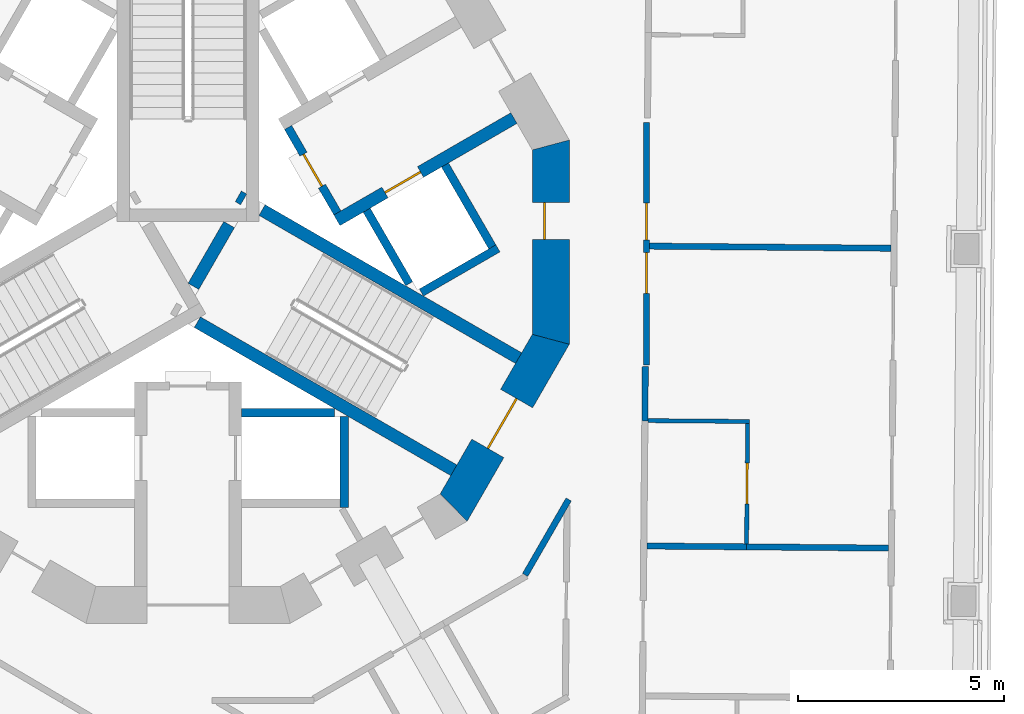
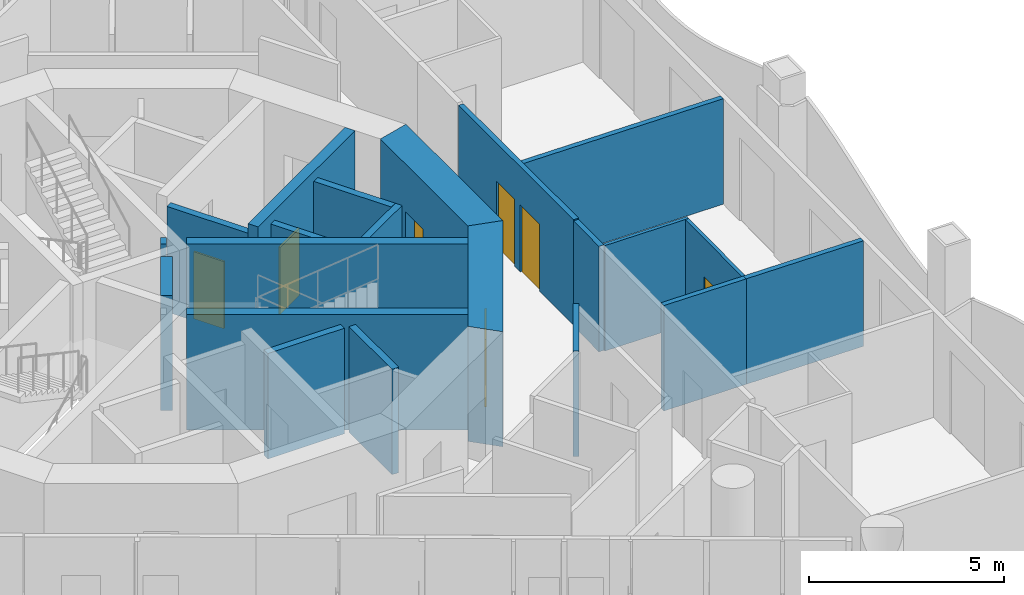
# One storey, part 6 of 18: 21 walls, 7 doors, 7 openings.
"""IFC4 building model written with IfcOpenShell, lengths in metres."""

from ifc_helpers import new_model, si_unit, direction, frame, frame_2d, origin, place, context, subcontext, project, spatial, polyline, rectangle, outline, extrude, material, layer, layer_set, type_object, element, fill, save


model = new_model("IFC4")

# Units and contexts
model_context = context("Model", 3, precision=1e-05, world=origin(), true_north=direction((0.0, 1.0)))
body_context = subcontext(model_context, "Body", "Model", "MODEL_VIEW")
ifc_project = project(units=[si_unit("LENGTHUNIT", "METRE"), si_unit("AREAUNIT", "SQUARE_METRE"), si_unit("VOLUMEUNIT", "CUBIC_METRE"), si_unit("PLANEANGLEUNIT", "RADIAN"), si_unit("MASSUNIT", "GRAM", prefix="KILO")], contexts=[model_context])

# Site, building, storey
site_placement = place(None, origin())
site = spatial("IfcSite", under=ifc_project, at=site_placement, CompositionType="ELEMENT")
building_placement = place(site_placement, origin())
building = spatial("IfcBuilding", under=site, at=building_placement, Name="Trine Commons Tower", CompositionType="ELEMENT")
storey_placement = place(building_placement, frame((0.0, 0.0, 171.89990234375)))
storey = spatial("IfcBuildingStorey", under=building, at=storey_placement, Name="L44", CompositionType="ELEMENT", Elevation=171.89990234375)

# Wall, opening, door
ifc_material_1 = material(Name="Fire-rated gypsum shaft wall system")
ifc_layer_1 = layer(ifc_material_1, 0.199951171875)
ifc_layer_set_1 = layer_set([ifc_layer_1], Name="Fire-rated gypsum shaft wall system")
wall_type_1 = type_object("IfcWallType", Name="Lobby end wall 200 mm, EI 120", PredefinedType="PARTITIONING", material=ifc_layer_set_1)
wall_1_placement = place(storey_placement, frame((83.631103515625, 63.2109375, 0.0), z_axis=(0.0, 0.0, 1.0), x_axis=(-0.50012165622, 0.865955154139, 0.0)))
wall_1 = element("IfcWall", 1, at=wall_1_placement, inside=storey, type_object=wall_type_1, Name="Lobby end wall L44", PredefinedType="PARTITIONING", context=body_context, shape_type="SweptSolid", body=[
    extrude(rectangle(XDim=2.39990234375, YDim=0.199951171875, at=frame_2d((1.199951171875, 0.0))), origin(), (0.0, 0.0, 1.0), 3.300048828125),
])
opening_1_placement = place(wall_1_placement, frame((0.749755859375, 0.0, 0.0)))
opening_1 = element("IfcOpeningElement", 2, at=opening_1_placement, cuts=wall_1, Name="Opening K11.05", PredefinedType="OPENING", context=body_context, shape_type="SweptSolid", body=[
    extrude(rectangle(XDim=0.89990234375, YDim=2.10009765625, at=frame_2d((0.449951171875, 1.050048828125))), frame((0.0, 0.10986328125, 0.0), z_axis=(0.0, -1.0, 0.0), x_axis=(1.0, 0.0, 0.0)), (0.0, 0.0, 1.0), 0.219970703125),
])
ifc_material_2 = material(Name="Steel door leaf, fire-rated", Category="steel")
door_type_1 = type_object("IfcDoorType", Name="Riser access door, single leaf 900 x 2100, FD60", OperationType="SINGLE_SWING_LEFT", PredefinedType="DOOR", material=ifc_material_2)
door_1_placement = place(opening_1_placement, frame((0.89990234375, 0.0, 0.0), z_axis=(0.0, 0.0, 1.0), x_axis=(-1.0, 0.0, 0.0)))
door_1 = element("IfcDoor", 3, at=door_1_placement, inside=storey, type_object=door_type_1, Name="Riser door, Electrical riser L44", OperationType="SINGLE_SWING_LEFT", OverallHeight=2.10009765625, OverallWidth=0.89990234375, PredefinedType="DOOR", context=body_context, shape_type="SweptSolid", body=[
    extrude(rectangle(XDim=0.89990234375, YDim=2.10009765625, at=frame_2d((0.449951171875, 1.050048828125))), frame((0.0, 0.02490234375, 0.0), z_axis=(0.0, -1.0, 0.0), x_axis=(1.0, 0.0, 0.0)), (0.0, 0.0, 1.0), 0.050048828125),
])
fill(opening_1, door_1)

ifc_material_3 = material(Name="Concrete C60/75", Category="concrete")
ifc_layer_2 = layer(ifc_material_3, 0.300048828125)
ifc_layer_set_2 = layer_set([ifc_layer_2], Name="Concrete C60/75")
wall_type_2 = type_object("IfcWallType", Name="RC shear wall 300 mm, C60/75", PredefinedType="SHEAR", material=ifc_layer_set_2)
wall_2_placement = place(storey_placement, frame((83.618896484375, 63.031005859375, 0.0), z_axis=(0.0, 0.0, 1.0), x_axis=(0.866080953719, 0.499903772346, 0.0)))
wall_2 = element("IfcWall", 4, at=wall_2_placement, inside=storey, type_object=wall_type_2, Name="Core cross wall SWB-06 L44", PredefinedType="SHEAR", context=body_context, shape_type="SweptSolid", body=[
    extrude(rectangle(XDim=4.97314453125, YDim=0.300048828125, at=frame_2d((2.486572265625, 0.0))), origin(), (0.0, 0.0, 1.0), 3.60009765625),
])
opening_2_placement = place(wall_2_placement, frame((1.350341796875, 0.0, 0.0)))
opening_2 = element("IfcOpeningElement", 5, at=opening_2_placement, cuts=wall_2, Name="Opening LD6", PredefinedType="OPENING", context=body_context, shape_type="SweptSolid", body=[
    extrude(rectangle(XDim=1.0, YDim=2.10009765625, at=frame_2d((0.5, 1.050048828125))), frame((0.0, 0.159912109375, 0.0), z_axis=(0.0, -1.0, 0.0), x_axis=(1.0, 0.0, 0.0)), (0.0, 0.0, 1.0), 0.320068359375),
])
ifc_material_4 = material(Name="Stainless steel sliding door leaves", Category="steel")
door_type_2 = type_object("IfcDoorType", Name="Lift landing door, centre-opening sliding 1000 x 2100, FD90", OperationType="DOUBLE_DOOR_SLIDING", PredefinedType="DOOR", material=ifc_material_4)
door_2_placement = place(opening_2_placement, origin())
door_2 = element("IfcDoor", 6, at=door_2_placement, inside=storey, type_object=door_type_2, Name="Lift landing door HR2 L44", OperationType="DOUBLE_DOOR_SLIDING", OverallHeight=2.10009765625, OverallWidth=1.0, PredefinedType="DOOR", context=body_context, shape_type="SweptSolid", body=[
    extrude(rectangle(XDim=1.0, YDim=2.10009765625, at=frame_2d((0.5, 1.050048828125))), frame((0.0, 0.02490234375, 0.0), z_axis=(0.0, -1.0, 0.0), x_axis=(1.0, 0.0, 0.0)), (0.0, 0.0, 1.0), 0.050048828125),
])
fill(opening_2, door_2)

# Walls
wall_3_placement = place(storey_placement, frame((80.1298828125, 61.424072265625, 0.0), z_axis=(0.0, 0.0, 1.0), x_axis=(0.500014901547, 0.866016800201, 0.0)))
element("IfcWall", 7, at=wall_3_placement, inside=storey, type_object=wall_type_2, Name="Core cross wall SWB-12 L44", PredefinedType="SHEAR", context=body_context, shape_type="SweptSolid", body=[
    extrude(rectangle(XDim=1.734375, YDim=0.300048828125, at=frame_2d((0.8671875, 0.0))), origin(), (0.0, 0.0, 1.0), 3.60009765625),
])
wall_4_placement = place(storey_placement, frame((80.22509765625, 60.552001953125, 0.0), z_axis=(0.0, 0.0, 1.0), x_axis=(0.866028135082, -0.499995269223, 0.0)))
element("IfcWall", 8, at=wall_4_placement, inside=storey, type_object=wall_type_2, Name="Core cross wall SWB-13 L44", PredefinedType="SHEAR", context=body_context, shape_type="SweptSolid", body=[
    extrude(rectangle(XDim=7.2041015625, YDim=0.300048828125, at=frame_2d((3.60205078125, 0.0))), origin(), (0.0, 0.0, 1.0), 3.60009765625),
])
wall_5_placement = place(storey_placement, frame((81.220947265625, 63.614013671875, 0.0), z_axis=(0.0, 0.0, 1.0), x_axis=(0.867737973955, -0.497021939713, 0.0)))
element("IfcWall", 9, at=wall_5_placement, inside=storey, type_object=wall_type_2, Name="Core cross wall SWB-15 L44", PredefinedType="SHEAR", context=body_context, shape_type="SweptSolid", body=[
    extrude(rectangle(XDim=0.14892578125, YDim=0.300048828125, at=frame_2d((0.074462890625, 0.0))), origin(), (0.0, 0.0, 1.0), 3.60009765625),
])
wall_6_placement = place(storey_placement, frame((81.800048828125, 63.280029296875, 0.0), z_axis=(0.0, 0.0, 1.0), x_axis=(0.866028135082, -0.499995269223, 0.0)))
element("IfcWall", 10, at=wall_6_placement, inside=storey, type_object=wall_type_2, Name="Core cross wall SWB-18 L44", PredefinedType="SHEAR", context=body_context, shape_type="SweptSolid", body=[
    extrude(rectangle(XDim=7.2041015625, YDim=0.300048828125, at=frame_2d((3.60205078125, 0.0))), origin(), (0.0, 0.0, 1.0), 3.60009765625),
])

# Wall, opening, door
ifc_layer_3 = layer(ifc_material_3, 0.89990234375)
ifc_layer_set_3 = layer_set([ifc_layer_3], Name="Concrete C60/75")
wall_type_3 = type_object("IfcWallType", Name="RC shear wall 900 mm, C60/75", PredefinedType="SHEAR", material=ifc_layer_set_3)
wall_7_placement = place(storey_placement, frame((88.822998046875, 60.015380859375, 0.0), z_axis=(0.0, 0.0, 1.0), x_axis=(0.0, 1.0, 0.0)))
wall_7 = element("IfcWall", 11, at=wall_7_placement, inside=storey, type_object=wall_type_3, Name="Core wall CWE-01 L44", PredefinedType="SHEAR", context=body_context, shape_type="SweptSolid", body=[
    extrude(outline(polyline([(0.0, -0.449951171875), (4.969482421875, -0.449951171875), (4.728271484375, 0.449951171875), (0.2412109375, 0.449951171875), (0.0, -0.449951171875)])), origin(), (0.0, 0.0, 1.0), 3.60009765625),
])
opening_3_placement = place(wall_7_placement, frame((2.543701171875, 0.0, 0.0)))
opening_3 = element("IfcOpeningElement", 12, at=opening_3_placement, cuts=wall_7, Name="Opening K11.10", PredefinedType="OPENING", context=body_context, shape_type="SweptSolid", body=[
    extrude(rectangle(XDim=0.89990234375, YDim=2.10009765625, at=frame_2d((0.449951171875, 1.050048828125))), frame((0.0, 0.4599609375, 0.0), z_axis=(0.0, -1.0, 0.0), x_axis=(1.0, 0.0, 0.0)), (0.0, 0.0, 1.0), 0.919921875),
])
door_type_3 = type_object("IfcDoorType", Name="Core room door, single leaf 900 x 2100, FD30S", OperationType="SINGLE_SWING_LEFT", PredefinedType="DOOR", material=ifc_material_2)
door_3_placement = place(opening_3_placement, origin())
door_3 = element("IfcDoor", 13, at=door_3_placement, inside=storey, type_object=door_type_3, Name="Door to Accessible WC L44", OperationType="SINGLE_SWING_RIGHT", OverallHeight=2.10009765625, OverallWidth=0.89990234375, PredefinedType="DOOR", context=body_context, shape_type="SweptSolid", body=[
    extrude(rectangle(XDim=0.89990234375, YDim=2.10009765625, at=frame_2d((0.449951171875, 1.050048828125))), frame((0.0, 0.1748046875, 0.0), z_axis=(0.0, -1.0, 0.0), x_axis=(1.0, 0.0, 0.0)), (0.0, 0.0, 1.0), 0.050048828125),
])
fill(opening_3, door_3)

wall_8_placement = place(storey_placement, frame((86.3984375, 55.936767578125, 0.0), z_axis=(0.0, 0.0, 1.0), x_axis=(0.500038571144, 0.866003133579, 0.0)))
wall_8 = element("IfcWall", 14, at=wall_8_placement, inside=storey, type_object=wall_type_3, Name="Core wall CWE-12 L44", PredefinedType="SHEAR", context=body_context, shape_type="SweptSolid", body=[
    extrude(outline(polyline([(0.0, -0.449951171875), (4.96923828125, -0.449951171875), (4.72802734375, 0.449951171875), (0.2412109375, 0.449951171875), (0.0, -0.449951171875)])), origin(), (0.0, 0.0, 1.0), 3.60009765625),
])
opening_4_placement = place(wall_8_placement, frame((1.78466796875, 0.0, 0.0)))
opening_4 = element("IfcOpeningElement", 15, at=opening_4_placement, cuts=wall_8, Name="Opening K11.03", PredefinedType="OPENING", context=body_context, shape_type="SweptSolid", body=[
    extrude(rectangle(XDim=1.39990234375, YDim=2.10009765625, at=frame_2d((0.699951171875, 1.050048828125))), frame((0.0, 0.4599609375, 0.0), z_axis=(0.0, -1.0, 0.0), x_axis=(1.0, 0.0, 0.0)), (0.0, 0.0, 1.0), 0.919921875),
])
ifc_material_5 = material(Name="Steel door leaves, fire-rated", Category="steel")
door_type_4 = type_object("IfcDoorType", Name="Stair door, double leaf 1400 x 2100, FD90", OperationType="DOUBLE_DOOR_SINGLE_SWING", PredefinedType="DOOR", material=ifc_material_5)
door_4_placement = place(opening_4_placement, origin())
door_4 = element("IfcDoor", 16, at=door_4_placement, inside=storey, type_object=door_type_4, Name="Stair door to Exit stair ST3B L44", OperationType="DOUBLE_DOOR_SINGLE_SWING", OverallHeight=2.10009765625, OverallWidth=1.39990234375, PredefinedType="DOOR", context=body_context, shape_type="SweptSolid", body=[
    extrude(rectangle(XDim=1.39990234375, YDim=2.10009765625, at=frame_2d((0.699951171875, 1.050048828125))), frame((0.0, 0.02490234375, 0.0), z_axis=(0.0, -1.0, 0.0), x_axis=(1.0, 0.0, 0.0)), (0.0, 0.0, 1.0), 0.050048828125),
])
fill(opening_4, door_4)

# Walls
ifc_layer_4 = layer(ifc_material_1, 0.199951171875)
ifc_layer_set_4 = layer_set([ifc_layer_4], Name="Fire-rated gypsum shaft wall system")
wall_type_4 = type_object("IfcWallType", Name="Shaft wall 200 mm, EI 120", PredefinedType="PARTITIONING", material=ifc_layer_set_4)
wall_9_placement = place(storey_placement, frame((81.300048828125, 58.35009765625, 0.0), z_axis=(0.0, 0.0, 1.0), x_axis=(1.0, 0.0, 0.0)))
element("IfcWall", 17, at=wall_9_placement, inside=storey, type_object=wall_type_4, Name="Shaft wall L44", PredefinedType="PARTITIONING", context=body_context, shape_type="SweptSolid", body=[
    extrude(rectangle(XDim=2.264892578125, YDim=0.199951171875, at=frame_2d((1.13232421875, 0.0))), origin(), (0.0, 0.0, 1.0), 3.300048828125),
])
wall_10_placement = place(storey_placement, frame((83.800048828125, 58.257080078125, 0.0), z_axis=(0.0, 0.0, 1.0), x_axis=(0.0, -1.0, 0.0)))
element("IfcWall", 18, at=wall_10_placement, inside=storey, type_object=wall_type_4, Name="Shaft wall L44", PredefinedType="PARTITIONING", context=body_context, shape_type="SweptSolid", body=[
    extrude(rectangle(XDim=2.20703125, YDim=0.199951171875, at=frame_2d((1.103515625, 0.0))), origin(), (0.0, 0.0, 1.0), 3.300048828125),
])
wall_11_placement = place(storey_placement, frame((84.343994140625, 63.27587890625, 0.0), z_axis=(0.0, 0.0, 1.0), x_axis=(0.500271688072, -0.86586848777, 0.0)))
element("IfcWall", 19, at=wall_11_placement, inside=storey, type_object=wall_type_4, Name="Shaft wall L44", PredefinedType="PARTITIONING", context=body_context, shape_type="SweptSolid", body=[
    extrude(rectangle(XDim=2.064697265625, YDim=0.199951171875, at=frame_2d((1.0322265625, 0.0))), origin(), (0.0, 0.0, 1.0), 3.300048828125),
])
wall_12_placement = place(storey_placement, frame((85.675048828125, 61.27392578125, 0.0), z_axis=(0.0, 0.0, 1.0), x_axis=(0.866102336459, 0.499866725018, 0.0)))
element("IfcWall", 20, at=wall_12_placement, inside=storey, type_object=wall_type_4, Name="Shaft wall L44", PredefinedType="PARTITIONING", context=body_context, shape_type="SweptSolid", body=[
    extrude(rectangle(XDim=2.1484375, YDim=0.199951171875, at=frame_2d((1.07421875, 0.0))), origin(), (0.0, 0.0, 1.0), 3.300048828125),
])
wall_13_placement = place(storey_placement, frame((86.2490234375, 64.3759765625, 0.0), z_axis=(0.0, 0.0, 1.0), x_axis=(0.500136062276, -0.86594683394, 0.0)))
element("IfcWall", 21, at=wall_13_placement, inside=storey, type_object=wall_type_4, Name="Shaft wall L44", PredefinedType="PARTITIONING", context=body_context, shape_type="SweptSolid", body=[
    extrude(rectangle(XDim=2.299072265625, YDim=0.199951171875, at=frame_2d((1.1494140625, 0.0))), origin(), (0.0, 0.0, 1.0), 3.300048828125),
])
ifc_material_6 = material(Name="Gypsum plasterboard on steel stud", Category="steel")
ifc_layer_5 = layer(ifc_material_6, 0.14990234375)
ifc_layer_set_5 = layer_set([ifc_layer_5], Name="Gypsum plasterboard on steel stud")
wall_type_5 = type_object("IfcWallType", Name="Unit and corridor wall 150 mm, EI 60", PredefinedType="PARTITIONING", material=ifc_layer_set_5)
wall_14_placement = place(storey_placement, frame((88.198486328125, 54.404052734375, 0.0), z_axis=(0.0, 0.0, 1.0), x_axis=(0.499882057835, 0.866093487018, 0.0)))
element("IfcWall", 22, at=wall_14_placement, inside=storey, type_object=wall_type_5, Name="Partition 109", PredefinedType="PARTITIONING", context=body_context, shape_type="SweptSolid", body=[
    extrude(rectangle(XDim=2.11865234375, YDim=0.14990234375, at=frame_2d((1.059326171875, 0.0))), origin(), (0.0, 0.0, 1.0), 3.300048828125),
])
wall_15_placement = place(storey_placement, frame((91.158935546875, 55.107421875, 0.0), z_axis=(0.0, 0.0, 1.0), x_axis=(0.999964244372, -0.008456357246, 0.0)))
element("IfcWall", 23, at=wall_15_placement, inside=storey, type_object=wall_type_5, Name="Partition 126", PredefinedType="PARTITIONING", context=body_context, shape_type="SweptSolid", body=[
    extrude(rectangle(XDim=2.425048828125, YDim=0.14990234375, at=frame_2d((1.21240234375, 0.0))), origin(), (0.0, 0.0, 1.0), 3.300048828125),
])
wall_16_placement = place(storey_placement, frame((91.111083984375, 58.154052734375, 0.0), z_axis=(0.0, 0.0, 1.0), x_axis=(0.008354702831, 0.999965098861, 0.0)))
element("IfcWall", 24, at=wall_16_placement, inside=storey, type_object=wall_type_5, Name="Partition 127", PredefinedType="PARTITIONING", context=body_context, shape_type="SweptSolid", body=[
    extrude(rectangle(XDim=1.31494140625, YDim=0.14990234375, at=frame_2d((0.657470703125, 0.0))), origin(), (0.0, 0.0, 1.0), 3.300048828125),
])

# Wall, openings, doors
wall_17_placement = place(storey_placement, frame((91.14794921875, 59.512939453125, 0.0), z_axis=(0.0, 0.0, 1.0), x_axis=(0.0, 1.0, 0.0)))
wall_17 = element("IfcWall", 25, at=wall_17_placement, inside=storey, type_object=wall_type_5, Name="Partition 129", PredefinedType="PARTITIONING", context=body_context, shape_type="SweptSolid", body=[
    extrude(rectangle(XDim=5.899169921875, YDim=0.14990234375, at=frame_2d((2.94970703125, 0.0))), origin(), (0.0, 0.0, 1.0), 3.300048828125),
])
opening_5_placement = place(wall_17_placement, frame((3.0400390625, 0.0, 0.0)))
opening_5 = element("IfcOpeningElement", 26, at=opening_5_placement, cuts=wall_17, Name="Opening D-5B18", PredefinedType="OPENING", context=body_context, shape_type="SweptSolid", body=[
    extrude(rectangle(XDim=0.89990234375, YDim=2.10009765625, at=frame_2d((0.449951171875, 1.050048828125))), frame((0.0, 0.0849609375, 0.0), z_axis=(0.0, -1.0, 0.0), x_axis=(1.0, 0.0, 0.0)), (0.0, 0.0, 1.0), 0.169921875),
])
opening_6_placement = place(wall_17_placement, frame((1.739990234375, 0.0, 0.0)))
opening_6 = element("IfcOpeningElement", 27, at=opening_6_placement, cuts=wall_17, Name="Opening D-5B19", PredefinedType="OPENING", context=body_context, shape_type="SweptSolid", body=[
    extrude(rectangle(XDim=1.0, YDim=2.10009765625, at=frame_2d((0.5, 1.050048828125))), frame((0.0, 0.0849609375, 0.0), z_axis=(0.0, -1.0, 0.0), x_axis=(1.0, 0.0, 0.0)), (0.0, 0.0, 1.0), 0.169921875),
])
ifc_material_7 = material(Name="Timber fire door set", Category="wood")
door_type_5 = type_object("IfcDoorType", Name="Bedroom door 1000 x 2100, FD30S", OperationType="NOTDEFINED", PredefinedType="DOOR", material=ifc_material_7)
door_5_placement = place(opening_6_placement, frame((1.0, 0.0, 0.0), z_axis=(0.0, 0.0, 1.0), x_axis=(-1.0, 0.0, 0.0)))
door_5 = element("IfcDoor", 28, at=door_5_placement, inside=storey, type_object=door_type_5, Name="Door D-5B19", OperationType="SINGLE_SWING_RIGHT", OverallHeight=2.10009765625, OverallWidth=1.0, PredefinedType="DOOR", context=body_context, shape_type="SweptSolid", body=[
    extrude(rectangle(XDim=1.0, YDim=2.10009765625, at=frame_2d((0.5, 1.050048828125))), frame((0.0, 0.02490234375, 0.0), z_axis=(0.0, -1.0, 0.0), x_axis=(1.0, 0.0, 0.0)), (0.0, 0.0, 1.0), 0.050048828125),
])
fill(opening_6, door_5)
door_type_6 = type_object("IfcDoorType", Name="Bedroom door 900 x 2100, FD30S", OperationType="NOTDEFINED", PredefinedType="DOOR", material=ifc_material_7)
door_6_placement = place(opening_5_placement, frame((0.89990234375, 0.0, 0.0), z_axis=(0.0, 0.0, 1.0), x_axis=(-1.0, 0.0, 0.0)))
door_6 = element("IfcDoor", 29, at=door_6_placement, inside=storey, type_object=door_type_6, Name="Door D-5B18", OperationType="SINGLE_SWING_LEFT", OverallHeight=2.10009765625, OverallWidth=0.89990234375, PredefinedType="DOOR", context=body_context, shape_type="SweptSolid", body=[
    extrude(rectangle(XDim=0.89990234375, YDim=2.10009765625, at=frame_2d((0.449951171875, 1.050048828125))), frame((0.0, 0.02490234375, 0.0), z_axis=(0.0, -1.0, 0.0), x_axis=(1.0, 0.0, 0.0)), (0.0, 0.0, 1.0), 0.050048828125),
])
fill(opening_5, door_6)

# Walls
wall_18_placement = place(storey_placement, frame((91.222900390625, 62.40234375, 0.0), z_axis=(0.0, 0.0, 1.0), x_axis=(0.999960815669, -0.008852520937, 0.0)))
element("IfcWall", 30, at=wall_18_placement, inside=storey, type_object=wall_type_5, Name="Partition 130", PredefinedType="PARTITIONING", context=body_context, shape_type="SweptSolid", body=[
    extrude(rectangle(XDim=5.874267578125, YDim=0.14990234375, at=frame_2d((2.93701171875, 0.0))), origin(), (0.0, 0.0, 1.0), 3.300048828125),
])
wall_19_placement = place(storey_placement, frame((93.583984375, 55.0869140625, 0.0), z_axis=(0.0, 0.0, 1.0), x_axis=(0.999960856051, -0.008847958307, 0.0)))
element("IfcWall", 31, at=wall_19_placement, inside=storey, type_object=wall_type_5, Name="Partition 150", PredefinedType="PARTITIONING", context=body_context, shape_type="SweptSolid", body=[
    extrude(rectangle(XDim=3.44921875, YDim=0.14990234375, at=frame_2d((1.724609375, 0.0))), origin(), (0.0, 0.0, 1.0), 3.300048828125),
])
ifc_layer_6 = layer(ifc_material_6, 0.10009765625)
ifc_layer_set_6 = layer_set([ifc_layer_6], Name="Gypsum plasterboard on steel stud")
wall_type_6 = type_object("IfcWallType", Name="Unit partition 100 mm, no rating", PredefinedType="PARTITIONING", material=ifc_layer_set_6)
wall_20_placement = place(storey_placement, frame((91.18603515625, 58.157470703125, 0.0), z_axis=(0.0, 0.0, 1.0), x_axis=(0.999964846703, -0.008384829039, 0.0)))
element("IfcWall", 32, at=wall_20_placement, inside=storey, type_object=wall_type_6, Name="Partition 128", PredefinedType="PARTITIONING", context=body_context, shape_type="SweptSolid", body=[
    extrude(rectangle(XDim=2.474853515625, YDim=0.10009765625, at=frame_2d((1.2373046875, 0.0))), origin(), (0.0, 0.0, 1.0), 3.300048828125),
])

# Wall, opening, door
wall_21_placement = place(storey_placement, frame((93.584716796875, 55.162109375, 0.0), z_axis=(0.0, 0.0, 1.0), x_axis=(0.008847733802, 0.999960858037, 0.0)))
wall_21 = element("IfcWall", 33, at=wall_21_placement, inside=storey, type_object=wall_type_6, Name="Partition 149", PredefinedType="PARTITIONING", context=body_context, shape_type="SweptSolid", body=[
    extrude(rectangle(XDim=2.9248046875, YDim=0.10009765625, at=frame_2d((1.46240234375, 0.0))), origin(), (0.0, 0.0, 1.0), 3.300048828125),
])
opening_7_placement = place(wall_21_placement, frame((0.962646484375, 0.0, 0.0)))
opening_7 = element("IfcOpeningElement", 34, at=opening_7_placement, cuts=wall_21, Name="Opening D-5B51", PredefinedType="OPENING", context=body_context, shape_type="SweptSolid", body=[
    extrude(rectangle(XDim=1.0, YDim=2.10009765625, at=frame_2d((0.5, 1.050048828125))), frame((0.0, 0.06005859375, 0.0), z_axis=(0.0, -1.0, 0.0), x_axis=(1.0, 0.0, 0.0)), (0.0, 0.0, 1.0), 0.1201171875),
])
ifc_material_8 = material(Name="Painted timber", Category="wood")
door_type_7 = type_object("IfcDoorType", Name="Internal door 1000 x 2100, NOT RATED", OperationType="NOTDEFINED", PredefinedType="DOOR", material=ifc_material_8)
door_7_placement = place(opening_7_placement, frame((1.0, 0.0, 0.0), z_axis=(0.0, 0.0, 1.0), x_axis=(-1.0, 0.0, 0.0)))
door_7 = element("IfcDoor", 35, at=door_7_placement, inside=storey, type_object=door_type_7, Name="Door D-5B51", OperationType="SINGLE_SWING_LEFT", OverallHeight=2.10009765625, OverallWidth=1.0, PredefinedType="DOOR", context=body_context, shape_type="SweptSolid", body=[
    extrude(rectangle(XDim=1.0, YDim=2.10009765625, at=frame_2d((0.5, 1.050048828125))), frame((0.0, 0.02490234375, 0.0), z_axis=(0.0, -1.0, 0.0), x_axis=(1.0, 0.0, 0.0)), (0.0, 0.0, 1.0), 0.050048828125),
])
fill(opening_7, door_7)

save(model, "model.ifc")
